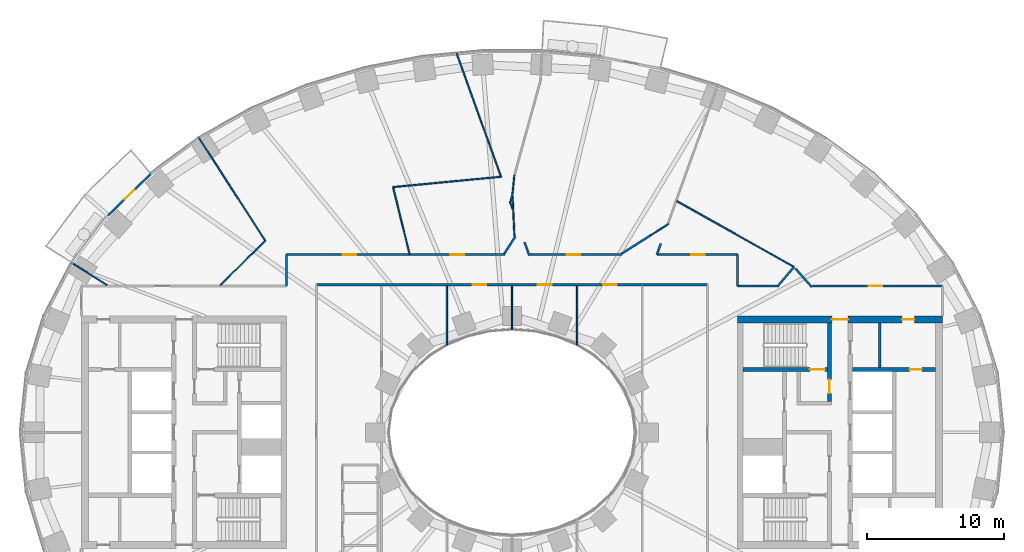
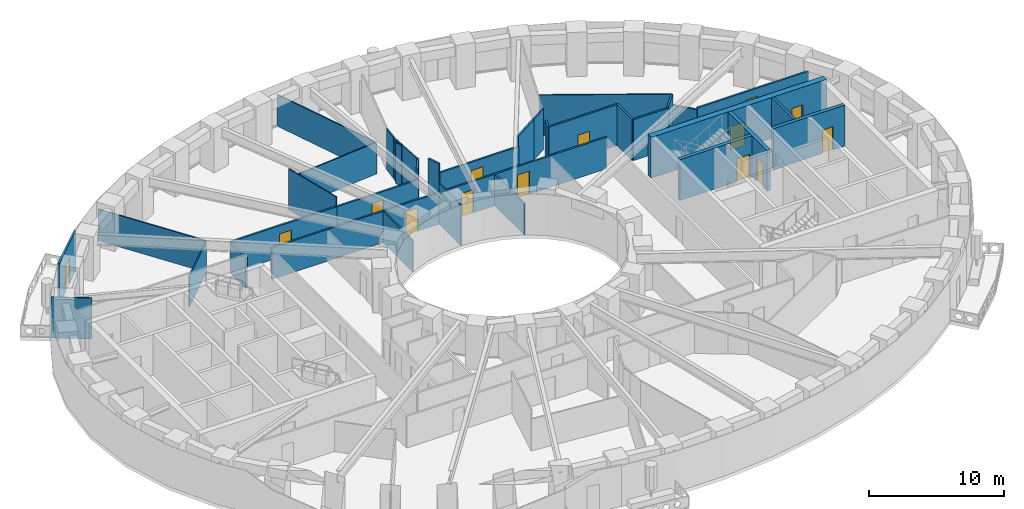
# One storey, part 6 of 16: 36 walls, 14 doors, 14 openings.
"""IFC4 building model written with IfcOpenShell, lengths in metres."""

from ifc_helpers import new_model, si_unit, direction, frame, frame_2d, origin, place, context, subcontext, project, spatial, rectangle, extrude, material, layer, layer_set, type_object, element, fill, save


model = new_model("IFC4")

# Units and contexts
model_context = context("Model", 3, precision=1e-05, world=origin(), true_north=direction((0.0, 1.0)))
body_context = subcontext(model_context, "Body", "Model", "MODEL_VIEW")
ifc_project = project(units=[si_unit("LENGTHUNIT", "METRE"), si_unit("AREAUNIT", "SQUARE_METRE"), si_unit("VOLUMEUNIT", "CUBIC_METRE"), si_unit("PLANEANGLEUNIT", "RADIAN"), si_unit("MASSUNIT", "GRAM", prefix="KILO")], contexts=[model_context])

# Site, building, storey
site_placement = place(None, origin())
site = spatial("IfcSite", under=ifc_project, at=site_placement, CompositionType="ELEMENT")
building_placement = place(site_placement, origin())
building = spatial("IfcBuilding", under=site, at=building_placement, Name="Noorbagh Ring Tower", CompositionType="ELEMENT")
storey_placement = place(building_placement, frame((0.0, 0.0, 46.5)))
storey = spatial("IfcBuildingStorey", under=building, at=storey_placement, Name="L09", CompositionType="ELEMENT", Elevation=46.5)

# Wall
ifc_material_1 = material(Name="Gypsum board on steel studs", Category="steel")
ifc_layer_1 = layer(ifc_material_1, 0.199951171875)
ifc_layer_set_1 = layer_set([ifc_layer_1], Name="Gypsum board on steel studs")
wall_type_1 = type_object("IfcWallType", Name="CORE-PARTITION-200", PredefinedType="PARTITIONING", material=ifc_layer_set_1)
wall_1_placement = place(storey_placement, frame((26.89990234375, 4.75, 0.0), z_axis=(0.0, 0.0, 1.0), x_axis=(0.0, 1.0, 0.0)))
element("IfcWall", 1, at=wall_1_placement, inside=storey, type_object=wall_type_1, Name="Core partition E", PredefinedType="PARTITIONING", context=body_context, shape_type="SweptSolid", body=[
    extrude(rectangle(XDim=3.25, YDim=0.199951171875, at=frame_2d((1.625, 0.0))), origin(), (0.0, 0.0, 1.0), 3.699951171875),
])

# Wall, opening, door
ifc_material_2 = material(Name="Concrete C70/85", Category="concrete")
ifc_layer_2 = layer(ifc_material_2, 0.300048828125)
ifc_layer_set_2 = layer_set([ifc_layer_2], Name="Concrete C70/85")
wall_type_2 = type_object("IfcWallType", Name="CORE-WALL-300-C70-85-EI240", PredefinedType="SHEAR", material=ifc_layer_set_2)
wall_2_placement = place(storey_placement, frame((24.89990234375, 4.60009765625, 0.0), z_axis=(0.0, 0.0, 1.0), x_axis=(1.0, 0.0, 0.0)))
wall_2 = element("IfcWall", 2, at=wall_2_placement, inside=storey, type_object=wall_type_2, Name="Core wall E", PredefinedType="SHEAR", context=body_context, shape_type="SweptSolid", body=[
    extrude(rectangle(XDim=6.10009765625, YDim=0.300048828125, at=frame_2d((3.050048828125, 0.0))), origin(), (0.0, 0.0, 1.0), 3.699951171875),
])
opening_1_placement = place(wall_2_placement, frame((4.199951171875, 0.0, 0.0)))
opening_1 = element("IfcOpeningElement", 3, at=opening_1_placement, cuts=wall_2, Name="Opening L09-CE16", PredefinedType="OPENING", context=body_context, shape_type="SweptSolid", body=[
    extrude(rectangle(XDim=0.89990234375, YDim=2.10009765625, at=frame_2d((0.449951171875, 1.050048828125))), frame((0.0, 0.16015625, 0.0), z_axis=(0.0, -1.0, 0.0), x_axis=(1.0, 0.0, 0.0)), (0.0, 0.0, 1.0), 0.320068359375),
])
ifc_material_3 = material(Name="Steel door leaf", Category="steel")
door_type_1 = type_object("IfcDoorType", Name="CORE-DOOR-DROOM", OperationType="SINGLE_SWING_LEFT", PredefinedType="DOOR", material=ifc_material_3)
door_1_placement = place(opening_1_placement, origin())
door_1 = element("IfcDoor", 4, at=door_1_placement, inside=storey, type_object=door_type_1, Name="Core room door L09-CE16", OperationType="SINGLE_SWING_RIGHT", OverallHeight=2.10009765625, OverallWidth=0.89990234375, PredefinedType="DOOR", context=body_context, shape_type="SweptSolid", body=[
    extrude(rectangle(XDim=0.89990234375, YDim=2.10009765625, at=frame_2d((0.449951171875, 1.050048828125))), frame((0.0, 0.02490234375, 0.0), z_axis=(0.0, -1.0, 0.0), x_axis=(1.0, 0.0, 0.0)), (0.0, 0.0, 1.0), 0.050048828125),
])
fill(opening_1, door_1)

wall_3_placement = place(storey_placement, frame((23.22998046875, 2.25, 0.0), z_axis=(0.0, 0.0, 1.0), x_axis=(0.0, 1.0, 0.0)))
wall_3 = element("IfcWall", 5, at=wall_3_placement, inside=storey, type_object=wall_type_2, Name="Core wall E", PredefinedType="SHEAR", context=body_context, shape_type="SweptSolid", body=[
    extrude(rectangle(XDim=5.75, YDim=0.300048828125, at=frame_2d((2.875, 0.0))), origin(), (0.0, 0.0, 1.0), 3.699951171875),
])
opening_2_placement = place(wall_3_placement, frame((0.60009765625, 0.0, 0.0)))
opening_2 = element("IfcOpeningElement", 6, at=opening_2_placement, cuts=wall_3, Name="Opening L09-CE08", PredefinedType="OPENING", context=body_context, shape_type="SweptSolid", body=[
    extrude(rectangle(XDim=1.0, YDim=2.10009765625, at=frame_2d((0.5, 1.050048828125))), frame((0.0, 0.16015625, 0.0), z_axis=(0.0, -1.0, 0.0), x_axis=(1.0, 0.0, 0.0)), (0.0, 0.0, 1.0), 0.320068359375),
])
ifc_material_4 = material(Name="Steel door leaf", Category="steel")
door_type_2 = type_object("IfcDoorType", Name="CORE-DOOR-DVEST", OperationType="SINGLE_SWING_LEFT", PredefinedType="DOOR", material=ifc_material_4)
door_2_placement = place(opening_2_placement, origin())
door_2 = element("IfcDoor", 7, at=door_2_placement, inside=storey, type_object=door_type_2, Name="Stair vestibule door L09-CE08", OperationType="SINGLE_SWING_RIGHT", OverallHeight=2.10009765625, OverallWidth=1.0, PredefinedType="DOOR", context=body_context, shape_type="SweptSolid", body=[
    extrude(rectangle(XDim=1.0, YDim=2.10009765625, at=frame_2d((0.5, 1.050048828125))), frame((0.0, 0.02490234375, 0.0), z_axis=(0.0, -1.0, 0.0), x_axis=(1.0, 0.0, 0.0)), (0.0, 0.0, 1.0), 0.050048828125),
])
fill(opening_2, door_2)

wall_4_placement = place(storey_placement, frame((16.89990234375, 4.60009765625, 0.0), z_axis=(0.0, 0.0, 1.0), x_axis=(1.0, 0.0, 0.0)))
wall_4 = element("IfcWall", 8, at=wall_4_placement, inside=storey, type_object=wall_type_2, Name="Core wall E", PredefinedType="SHEAR", context=body_context, shape_type="SweptSolid", body=[
    extrude(rectangle(XDim=6.18017578125, YDim=0.300048828125, at=frame_2d((3.090087890625, 0.0))), origin(), (0.0, 0.0, 1.0), 3.699951171875),
])
opening_3_placement = place(wall_4_placement, frame((4.89990234375, 0.0, 0.0)))
opening_3 = element("IfcOpeningElement", 9, at=opening_3_placement, cuts=wall_4, Name="Opening L09-CE05", PredefinedType="OPENING", context=body_context, shape_type="SweptSolid", body=[
    extrude(rectangle(XDim=1.10009765625, YDim=2.10009765625, at=frame_2d((0.550048828125, 1.050048828125))), frame((0.0, 0.16015625, 0.0), z_axis=(0.0, -1.0, 0.0), x_axis=(1.0, 0.0, 0.0)), (0.0, 0.0, 1.0), 0.320068359375),
])
ifc_material_5 = material(Name="Steel door leaf", Category="steel")
door_type_3 = type_object("IfcDoorType", Name="CORE-DOOR-DSTAIR", OperationType="SINGLE_SWING_LEFT", PredefinedType="DOOR", material=ifc_material_5)
door_3_placement = place(opening_3_placement, origin())
door_3 = element("IfcDoor", 10, at=door_3_placement, inside=storey, type_object=door_type_3, Name="Stair door ST3 L09-CE05", OperationType="SINGLE_SWING_LEFT", OverallHeight=2.10009765625, OverallWidth=1.10009765625, PredefinedType="DOOR", context=body_context, shape_type="SweptSolid", body=[
    extrude(rectangle(XDim=1.10009765625, YDim=2.10009765625, at=frame_2d((0.550048828125, 1.050048828125))), frame((0.0, 0.02490234375, 0.0), z_axis=(0.0, -1.0, 0.0), x_axis=(1.0, 0.0, 0.0)), (0.0, 0.0, 1.0), 0.050048828125),
])
fill(opening_3, door_3)

# Wall, openings, doors
ifc_material_6 = material(Name="Concrete C70/85", Category="concrete")
ifc_layer_3 = layer(ifc_material_6, 0.5)
ifc_layer_set_3 = layer_set([ifc_layer_3], Name="Concrete C70/85")
wall_type_3 = type_object("IfcWallType", Name="CORE-WALL-500-C70-85-EI240", PredefinedType="SHEAR", material=ifc_layer_set_3)
wall_5_placement = place(storey_placement, frame((16.5, 8.25, 0.0), z_axis=(0.0, 0.0, 1.0), x_axis=(1.0, 0.0, 0.0)))
wall_5 = element("IfcWall", 11, at=wall_5_placement, inside=storey, type_object=wall_type_3, Name="Core wall E", PredefinedType="SHEAR", context=body_context, shape_type="SweptSolid", body=[
    extrude(rectangle(XDim=15.0, YDim=0.5, at=frame_2d((7.5, 0.0))), origin(), (0.0, 0.0, 1.0), 3.699951171875),
])
opening_4_placement = place(wall_5_placement, frame((6.89990234375, 0.0, 0.0)))
opening_4 = element("IfcOpeningElement", 12, at=opening_4_placement, cuts=wall_5, Name="Opening L09-CE09", PredefinedType="OPENING", context=body_context, shape_type="SweptSolid", body=[
    extrude(rectangle(XDim=1.199951171875, YDim=2.10009765625, at=frame_2d((0.60009765625, 1.050048828125))), frame((0.0, 0.260009765625, 0.0), z_axis=(0.0, -1.0, 0.0), x_axis=(1.0, 0.0, 0.0)), (0.0, 0.0, 1.0), 0.52001953125),
])
opening_5_placement = place(wall_5_placement, frame((12.050048828125, 0.0, 0.0)))
opening_5 = element("IfcOpeningElement", 13, at=opening_5_placement, cuts=wall_5, Name="Opening L09-CE13", PredefinedType="OPENING", context=body_context, shape_type="SweptSolid", body=[
    extrude(rectangle(XDim=0.89990234375, YDim=2.10009765625, at=frame_2d((0.449951171875, 1.050048828125))), frame((0.0, 0.260009765625, 0.0), z_axis=(0.0, -1.0, 0.0), x_axis=(1.0, 0.0, 0.0)), (0.0, 0.0, 1.0), 0.52001953125),
])
door_4_placement = place(opening_5_placement, origin())
door_4 = element("IfcDoor", 14, at=door_4_placement, inside=storey, type_object=door_type_1, Name="Core room door L09-CE13", OperationType="SINGLE_SWING_LEFT", OverallHeight=2.10009765625, OverallWidth=0.89990234375, PredefinedType="DOOR", context=body_context, shape_type="SweptSolid", body=[
    extrude(rectangle(XDim=0.89990234375, YDim=2.10009765625, at=frame_2d((0.449951171875, 1.050048828125))), frame((0.0, 0.02490234375, 0.0), z_axis=(0.0, -1.0, 0.0), x_axis=(1.0, 0.0, 0.0)), (0.0, 0.0, 1.0), 0.050048828125),
])
fill(opening_5, door_4)
ifc_material_7 = material(Name="Steel door leaf", Category="steel")
door_type_4 = type_object("IfcDoorType", Name="CORE-DOOR-PORT", OperationType="DOUBLE_DOOR_DOUBLE_SWING", PredefinedType="DOOR", material=ifc_material_7)
door_5_placement = place(opening_4_placement, origin())
door_5 = element("IfcDoor", 15, at=door_5_placement, inside=storey, type_object=door_type_4, Name="Core entrance door L09-CE09", OperationType="DOUBLE_DOOR_DOUBLE_SWING", OverallHeight=2.10009765625, OverallWidth=1.199951171875, PredefinedType="DOOR", context=body_context, shape_type="SweptSolid", body=[
    extrude(rectangle(XDim=1.199951171875, YDim=2.10009765625, at=frame_2d((0.60009765625, 1.050048828125))), frame((0.0, 0.02490234375, 0.0), z_axis=(0.0, -1.0, 0.0), x_axis=(1.0, 0.0, 0.0)), (0.0, 0.0, 1.0), 0.050048828125),
])
fill(opening_4, door_5)

# Wall
ifc_material_8 = material(Name="Gypsum board on steel studs", Category="steel")
ifc_layer_4 = layer(ifc_material_8, 0.14990234375)
ifc_layer_set_4 = layer_set([ifc_layer_4], Name="Gypsum board on steel studs")
wall_type_4 = type_object("IfcWallType", Name="CORRIDOR PARTITION 150 EI 30", PredefinedType="PARTITIONING", material=ifc_layer_set_4)
wall_6_placement = place(storey_placement, frame((-16.5, 10.699951171875, 0.0), z_axis=(0.0, 0.0, 1.0), x_axis=(0.0, 1.0, 0.0)))
element("IfcWall", 16, at=wall_6_placement, inside=storey, type_object=wall_type_4, Name="L09/wall/P14", PredefinedType="PARTITIONING", context=body_context, shape_type="SweptSolid", body=[
    extrude(rectangle(XDim=2.300048828125, YDim=0.14990234375, at=frame_2d((1.14990234375, 0.0))), origin(), (0.0, 0.0, 1.0), 2.75),
])

# Wall, opening, door
wall_7_placement = place(storey_placement, frame((-16.5, 13.0, 0.0), z_axis=(0.0, 0.0, 1.0), x_axis=(1.0, 0.0, 0.0)))
wall_7 = element("IfcWall", 17, at=wall_7_placement, inside=storey, type_object=wall_type_4, Name="L09/wall/P15", PredefinedType="PARTITIONING", context=body_context, shape_type="SweptSolid", body=[
    extrude(rectangle(XDim=9.0009765625, YDim=0.14990234375, at=frame_2d((4.50048828125, 0.0))), origin(), (0.0, 0.0, 1.0), 2.85009765625),
])
opening_6_placement = place(wall_7_placement, frame((4.116943359375, 0.0, 0.0)))
opening_6 = element("IfcOpeningElement", 18, at=opening_6_placement, cuts=wall_7, Name="Opening D1", PredefinedType="OPENING", context=body_context, shape_type="SweptSolid", body=[
    extrude(rectangle(XDim=1.0, YDim=2.10009765625, at=frame_2d((0.5, 1.050048828125))), frame((0.0, 0.0849609375, 0.0), z_axis=(0.0, -1.0, 0.0), x_axis=(1.0, 0.0, 0.0)), (0.0, 0.0, 1.0), 0.169921875),
])
ifc_material_9 = material(Name="Timber, painted", Category="wood")
door_type_5 = type_object("IfcDoorType", Name="DOOR 1000 X 2100 FD30", OperationType="SINGLE_SWING_LEFT", PredefinedType="DOOR", material=ifc_material_9)
door_6_placement = place(opening_6_placement, origin())
door_6 = element("IfcDoor", 19, at=door_6_placement, inside=storey, type_object=door_type_5, Name="L09-D11", OperationType="SINGLE_SWING_LEFT", OverallHeight=2.10009765625, OverallWidth=1.0, PredefinedType="DOOR", context=body_context, shape_type="SweptSolid", body=[
    extrude(rectangle(XDim=1.0, YDim=2.10009765625, at=frame_2d((0.5, 1.050048828125))), frame((0.0, 0.02490234375, 0.0), z_axis=(0.0, -1.0, 0.0), x_axis=(1.0, 0.0, 0.0)), (0.0, 0.0, 1.0), 0.050048828125),
])
fill(opening_6, door_6)

# Wall, openings, doors
wall_8_placement = place(storey_placement, frame((-14.300048828125, 10.800048828125, 0.0), z_axis=(0.0, 0.0, 1.0), x_axis=(1.0, 0.0, 0.0)))
wall_8 = element("IfcWall", 20, at=wall_8_placement, inside=storey, type_object=wall_type_4, Name="L09/wall/P18", PredefinedType="PARTITIONING", context=body_context, shape_type="SweptSolid", body=[
    extrude(rectangle(XDim=28.60009765625, YDim=0.14990234375, at=frame_2d((14.300048828125, 0.0))), origin(), (0.0, 0.0, 1.0), 2.85009765625),
])
opening_7_placement = place(wall_8_placement, frame((11.43310546875, 0.0, 0.0)))
opening_7 = element("IfcOpeningElement", 21, at=opening_7_placement, cuts=wall_8, Name="Opening D1", PredefinedType="OPENING", context=body_context, shape_type="SweptSolid", body=[
    extrude(rectangle(XDim=1.0, YDim=2.10009765625, at=frame_2d((0.5, 1.050048828125))), frame((0.0, 0.0849609375, 0.0), z_axis=(0.0, -1.0, 0.0), x_axis=(1.0, 0.0, 0.0)), (0.0, 0.0, 1.0), 0.169921875),
])
opening_8_placement = place(wall_8_placement, frame((16.199951171875, 0.0, 0.0)))
opening_8 = element("IfcOpeningElement", 22, at=opening_8_placement, cuts=wall_8, Name="Opening D1", PredefinedType="OPENING", context=body_context, shape_type="SweptSolid", body=[
    extrude(rectangle(XDim=1.0, YDim=2.10009765625, at=frame_2d((0.5, 1.050048828125))), frame((0.0, 0.0849609375, 0.0), z_axis=(0.0, -1.0, 0.0), x_axis=(1.0, 0.0, 0.0)), (0.0, 0.0, 1.0), 0.169921875),
])
opening_9_placement = place(wall_8_placement, frame((20.967041015625, 0.0, 0.0)))
opening_9 = element("IfcOpeningElement", 23, at=opening_9_placement, cuts=wall_8, Name="Opening D1", PredefinedType="OPENING", context=body_context, shape_type="SweptSolid", body=[
    extrude(rectangle(XDim=1.0, YDim=2.10009765625, at=frame_2d((0.5, 1.050048828125))), frame((0.0, 0.0849609375, 0.0), z_axis=(0.0, -1.0, 0.0), x_axis=(1.0, 0.0, 0.0)), (0.0, 0.0, 1.0), 0.169921875),
])
door_7_placement = place(opening_7_placement, origin())
door_7 = element("IfcDoor", 24, at=door_7_placement, inside=storey, type_object=door_type_5, Name="L09-D22", OperationType="SINGLE_SWING_RIGHT", OverallHeight=2.10009765625, OverallWidth=1.0, PredefinedType="DOOR", context=body_context, shape_type="SweptSolid", body=[
    extrude(rectangle(XDim=1.0, YDim=2.10009765625, at=frame_2d((0.5, 1.050048828125))), frame((0.0, 0.02490234375, 0.0), z_axis=(0.0, -1.0, 0.0), x_axis=(1.0, 0.0, 0.0)), (0.0, 0.0, 1.0), 0.050048828125),
])
fill(opening_7, door_7)
door_8_placement = place(opening_8_placement, origin())
door_8 = element("IfcDoor", 25, at=door_8_placement, inside=storey, type_object=door_type_5, Name="L09-D24", OperationType="SINGLE_SWING_RIGHT", OverallHeight=2.10009765625, OverallWidth=1.0, PredefinedType="DOOR", context=body_context, shape_type="SweptSolid", body=[
    extrude(rectangle(XDim=1.0, YDim=2.10009765625, at=frame_2d((0.5, 1.050048828125))), frame((0.0, 0.02490234375, 0.0), z_axis=(0.0, -1.0, 0.0), x_axis=(1.0, 0.0, 0.0)), (0.0, 0.0, 1.0), 0.050048828125),
])
fill(opening_8, door_8)
door_9_placement = place(opening_9_placement, origin())
door_9 = element("IfcDoor", 26, at=door_9_placement, inside=storey, type_object=door_type_5, Name="L09-D25", OperationType="SINGLE_SWING_LEFT", OverallHeight=2.10009765625, OverallWidth=1.0, PredefinedType="DOOR", context=body_context, shape_type="SweptSolid", body=[
    extrude(rectangle(XDim=1.0, YDim=2.10009765625, at=frame_2d((0.5, 1.050048828125))), frame((0.0, 0.02490234375, 0.0), z_axis=(0.0, -1.0, 0.0), x_axis=(1.0, 0.0, 0.0)), (0.0, 0.0, 1.0), 0.050048828125),
])
fill(opening_9, door_9)

# Wall, opening, door
wall_9_placement = place(storey_placement, frame((-7.48291015625, 13.0, 0.0), z_axis=(0.0, 0.0, 1.0), x_axis=(1.0, 0.0, 0.0)))
wall_9 = element("IfcWall", 27, at=wall_9_placement, inside=storey, type_object=wall_type_4, Name="L09/wall/P33", PredefinedType="PARTITIONING", context=body_context, shape_type="SweptSolid", body=[
    extrude(rectangle(XDim=6.9599609375, YDim=0.14990234375, at=frame_2d((3.47998046875, 0.0))), origin(), (0.0, 0.0, 1.0), 2.85009765625),
])
opening_10_placement = place(wall_9_placement, frame((2.970947265625, 0.0, 0.0)))
opening_10 = element("IfcOpeningElement", 28, at=opening_10_placement, cuts=wall_9, Name="Opening D1", PredefinedType="OPENING", context=body_context, shape_type="SweptSolid", body=[
    extrude(rectangle(XDim=1.0, YDim=2.10009765625, at=frame_2d((0.5, 1.050048828125))), frame((0.0, 0.0849609375, 0.0), z_axis=(0.0, -1.0, 0.0), x_axis=(1.0, 0.0, 0.0)), (0.0, 0.0, 1.0), 0.169921875),
])
door_10_placement = place(opening_10_placement, origin())
door_10 = element("IfcDoor", 29, at=door_10_placement, inside=storey, type_object=door_type_5, Name="L09-D13", OperationType="SINGLE_SWING_LEFT", OverallHeight=2.10009765625, OverallWidth=1.0, PredefinedType="DOOR", context=body_context, shape_type="SweptSolid", body=[
    extrude(rectangle(XDim=1.0, YDim=2.10009765625, at=frame_2d((0.5, 1.050048828125))), frame((0.0, 0.02490234375, 0.0), z_axis=(0.0, -1.0, 0.0), x_axis=(1.0, 0.0, 0.0)), (0.0, 0.0, 1.0), 0.050048828125),
])
fill(opening_10, door_10)

# Walls
wall_10_placement = place(storey_placement, frame((-0.56396484375, 13.074951171875, 0.0), z_axis=(0.0, 0.0, 1.0), x_axis=(0.542961200627, 0.839757783301, 0.0)))
element("IfcWall", 30, at=wall_10_placement, inside=storey, type_object=wall_type_4, Name="L09/wall/P39", PredefinedType="PARTITIONING", context=body_context, shape_type="SweptSolid", body=[
    extrude(rectangle(XDim=1.4658203125, YDim=0.14990234375, at=frame_2d((0.73291015625, 0.0))), origin(), (0.0, 0.0, 1.0), 3.699951171875),
])
wall_11_placement = place(storey_placement, frame((0.9189453125, 13.908935546875, 0.0), z_axis=(0.0, 0.0, 1.0), x_axis=(0.338918653524, -0.94081568136, 0.0)))
element("IfcWall", 31, at=wall_11_placement, inside=storey, type_object=wall_type_4, Name="L09/wall/P53", PredefinedType="PARTITIONING", context=body_context, shape_type="SweptSolid", body=[
    extrude(rectangle(XDim=1.041748046875, YDim=0.14990234375, at=frame_2d((0.52099609375, 0.0))), origin(), (0.0, 0.0, 1.0), 3.699951171875),
])

# Wall, opening, door
wall_12_placement = place(storey_placement, frame((1.325927734375, 13.0, 0.0), z_axis=(0.0, 0.0, 1.0), x_axis=(1.0, 0.0, 0.0)))
wall_12 = element("IfcWall", 32, at=wall_12_placement, inside=storey, type_object=wall_type_4, Name="L09/wall/P55", PredefinedType="PARTITIONING", context=body_context, shape_type="SweptSolid", body=[
    extrude(rectangle(XDim=6.72119140625, YDim=0.14990234375, at=frame_2d((3.360595703125, 0.0))), origin(), (0.0, 0.0, 1.0), 2.85009765625),
])
opening_11_placement = place(wall_12_placement, frame((2.680908203125, 0.0, 0.0)))
opening_11 = element("IfcOpeningElement", 33, at=opening_11_placement, cuts=wall_12, Name="Opening D1", PredefinedType="OPENING", context=body_context, shape_type="SweptSolid", body=[
    extrude(rectangle(XDim=1.0, YDim=2.10009765625, at=frame_2d((0.5, 1.050048828125))), frame((0.0, 0.0849609375, 0.0), z_axis=(0.0, -1.0, 0.0), x_axis=(1.0, 0.0, 0.0)), (0.0, 0.0, 1.0), 0.169921875),
])
door_11_placement = place(opening_11_placement, origin())
door_11 = element("IfcDoor", 34, at=door_11_placement, inside=storey, type_object=door_type_5, Name="L09-D15", OperationType="SINGLE_SWING_LEFT", OverallHeight=2.10009765625, OverallWidth=1.0, PredefinedType="DOOR", context=body_context, shape_type="SweptSolid", body=[
    extrude(rectangle(XDim=1.0, YDim=2.10009765625, at=frame_2d((0.5, 1.050048828125))), frame((0.0, 0.02490234375, 0.0), z_axis=(0.0, -1.0, 0.0), x_axis=(1.0, 0.0, 0.0)), (0.0, 0.0, 1.0), 0.050048828125),
])
fill(opening_11, door_11)

# Walls
wall_13_placement = place(storey_placement, frame((8.028076171875, 13.076904296875, 0.0), z_axis=(0.0, 0.0, 1.0), x_axis=(0.844718865656, 0.53521027457, 0.0)))
element("IfcWall", 35, at=wall_13_placement, inside=storey, type_object=wall_type_4, Name="L09/wall/P61", PredefinedType="PARTITIONING", context=body_context, shape_type="SweptSolid", body=[
    extrude(rectangle(XDim=2.49658203125, YDim=0.14990234375, at=frame_2d((1.248291015625, 0.0))), origin(), (0.0, 0.0, 1.0), 3.699951171875),
])
wall_14_placement = place(storey_placement, frame((10.594970703125, 13.0, 0.0), z_axis=(0.0, 0.0, 1.0), x_axis=(0.338659506624, 0.940908995904, 0.0)))
element("IfcWall", 36, at=wall_14_placement, inside=storey, type_object=wall_type_4, Name="L09/wall/P66", PredefinedType="PARTITIONING", context=body_context, shape_type="SweptSolid", body=[
    extrude(rectangle(XDim=0.864990234375, YDim=0.14990234375, at=frame_2d((0.4326171875, 0.0))), origin(), (0.0, 0.0, 1.0), 3.699951171875),
])

# Wall, opening, door
wall_15_placement = place(storey_placement, frame((10.60693359375, 13.0, 0.0), z_axis=(0.0, 0.0, 1.0), x_axis=(1.0, 0.0, 0.0)))
wall_15 = element("IfcWall", 37, at=wall_15_placement, inside=storey, type_object=wall_type_4, Name="L09/wall/P68", PredefinedType="PARTITIONING", context=body_context, shape_type="SweptSolid", body=[
    extrude(rectangle(XDim=5.89306640625, YDim=0.14990234375, at=frame_2d((2.946533203125, 0.0))), origin(), (0.0, 0.0, 1.0), 3.699951171875),
])
opening_12_placement = place(wall_15_placement, frame((2.492919921875, 0.0, 0.0)))
opening_12 = element("IfcOpeningElement", 38, at=opening_12_placement, cuts=wall_15, Name="Opening D1", PredefinedType="OPENING", context=body_context, shape_type="SweptSolid", body=[
    extrude(rectangle(XDim=1.0, YDim=2.10009765625, at=frame_2d((0.5, 1.050048828125))), frame((0.0, 0.0849609375, 0.0), z_axis=(0.0, -1.0, 0.0), x_axis=(1.0, 0.0, 0.0)), (0.0, 0.0, 1.0), 0.169921875),
])
door_12_placement = place(opening_12_placement, origin())
door_12 = element("IfcDoor", 39, at=door_12_placement, inside=storey, type_object=door_type_5, Name="L09-D17", OperationType="SINGLE_SWING_LEFT", OverallHeight=2.10009765625, OverallWidth=1.0, PredefinedType="DOOR", context=body_context, shape_type="SweptSolid", body=[
    extrude(rectangle(XDim=1.0, YDim=2.10009765625, at=frame_2d((0.5, 1.050048828125))), frame((0.0, 0.02490234375, 0.0), z_axis=(0.0, -1.0, 0.0), x_axis=(1.0, 0.0, 0.0)), (0.0, 0.0, 1.0), 0.050048828125),
])
fill(opening_12, door_12)

# Walls
wall_16_placement = place(storey_placement, frame((16.5, 10.699951171875, 0.0), z_axis=(0.0, 0.0, 1.0), x_axis=(0.0, 1.0, 0.0)))
element("IfcWall", 40, at=wall_16_placement, inside=storey, type_object=wall_type_4, Name="L09/wall/P76", PredefinedType="PARTITIONING", context=body_context, shape_type="SweptSolid", body=[
    extrude(rectangle(XDim=2.300048828125, YDim=0.14990234375, at=frame_2d((1.14990234375, 0.0))), origin(), (0.0, 0.0, 1.0), 3.699951171875),
])
wall_17_placement = place(storey_placement, frame((16.5, 10.699951171875, 0.0), z_axis=(0.0, 0.0, 1.0), x_axis=(1.0, 0.0, 0.0)))
element("IfcWall", 41, at=wall_17_placement, inside=storey, type_object=wall_type_4, Name="L09/wall/P77", PredefinedType="PARTITIONING", context=body_context, shape_type="SweptSolid", body=[
    extrude(rectangle(XDim=3.04296875, YDim=0.14990234375, at=frame_2d((1.521484375, 0.0))), origin(), (0.0, 0.0, 1.0), 3.699951171875),
])
wall_18_placement = place(storey_placement, frame((19.510986328125, 10.778076171875, 0.0), z_axis=(0.0, 0.0, 1.0), x_axis=(0.646491141339, 0.762921492796, 0.0)))
element("IfcWall", 42, at=wall_18_placement, inside=storey, type_object=wall_type_4, Name="L09/wall/P79", PredefinedType="PARTITIONING", context=body_context, shape_type="SweptSolid", body=[
    extrude(rectangle(XDim=1.734130859375, YDim=0.14990234375, at=frame_2d((0.8671875, 0.0))), origin(), (0.0, 0.0, 1.0), 3.699951171875),
])
wall_19_placement = place(storey_placement, frame((20.72705078125, 11.993896484375, 0.0), z_axis=(0.0, 0.0, 1.0), x_axis=(0.663767495264, -0.747938976275, 0.0)))
element("IfcWall", 43, at=wall_19_placement, inside=storey, type_object=wall_type_4, Name="L09/wall/P81", PredefinedType="PARTITIONING", context=body_context, shape_type="SweptSolid", body=[
    extrude(rectangle(XDim=1.830322265625, YDim=0.14990234375, at=frame_2d((0.9150390625, 0.0))), origin(), (0.0, 0.0, 1.0), 2.75),
])

# Wall, opening, door
wall_20_placement = place(storey_placement, frame((21.97509765625, 10.699951171875, 0.0), z_axis=(0.0, 0.0, 1.0), x_axis=(1.0, 0.0, 0.0)))
wall_20 = element("IfcWall", 44, at=wall_20_placement, inside=storey, type_object=wall_type_4, Name="L09/wall/P83", PredefinedType="PARTITIONING", context=body_context, shape_type="SweptSolid", body=[
    extrude(rectangle(XDim=9.52490234375, YDim=0.14990234375, at=frame_2d((4.762451171875, 0.0))), origin(), (0.0, 0.0, 1.0), 2.85009765625),
])
opening_13_placement = place(wall_20_placement, frame((4.125, 0.0, 0.0)))
opening_13 = element("IfcOpeningElement", 45, at=opening_13_placement, cuts=wall_20, Name="Opening D1", PredefinedType="OPENING", context=body_context, shape_type="SweptSolid", body=[
    extrude(rectangle(XDim=1.0, YDim=2.10009765625, at=frame_2d((0.5, 1.050048828125))), frame((0.0, 0.0849609375, 0.0), z_axis=(0.0, -1.0, 0.0), x_axis=(1.0, 0.0, 0.0)), (0.0, 0.0, 1.0), 0.169921875),
])
door_13_placement = place(opening_13_placement, origin())
door_13 = element("IfcDoor", 46, at=door_13_placement, inside=storey, type_object=door_type_5, Name="L09-D19", OperationType="SINGLE_SWING_LEFT", OverallHeight=2.10009765625, OverallWidth=1.0, PredefinedType="DOOR", context=body_context, shape_type="SweptSolid", body=[
    extrude(rectangle(XDim=1.0, YDim=2.10009765625, at=frame_2d((0.5, 1.050048828125))), frame((0.0, 0.02490234375, 0.0), z_axis=(0.0, -1.0, 0.0), x_axis=(1.0, 0.0, 0.0)), (0.0, 0.0, 1.0), 0.050048828125),
])
fill(opening_13, door_13)

ifc_material_10 = material(Name="Insulated aluminium clad panel", Category="aluminium")
ifc_layer_5 = layer(ifc_material_10, 0.14990234375)
ifc_layer_set_5 = layer_set([ifc_layer_5], Name="Insulated aluminium clad panel")
wall_type_5 = type_object("IfcWallType", Name="ENV-WALL-DOOR", PredefinedType="STANDARD", material=ifc_layer_set_5)
wall_21_placement = place(storey_placement, frame((-26.396484375, 18.943359375, 0.0), z_axis=(0.0, 0.0, 1.0), x_axis=(-0.717214761864, -0.696852197647, 0.0)))
wall_21 = element("IfcWall", 47, at=wall_21_placement, inside=storey, type_object=wall_type_5, Name="Balcony door wall chord 19", PredefinedType="STANDARD", context=body_context, shape_type="SweptSolid", body=[
    extrude(rectangle(XDim=4.424072265625, YDim=0.14990234375, at=frame_2d((2.2119140625, 0.0))), origin(), (0.0, 0.0, 1.0), 3.699951171875),
])
opening_14_placement = place(wall_21_placement, frame((1.712158203125, 0.0, 0.0)))
opening_14 = element("IfcOpeningElement", 48, at=opening_14_placement, cuts=wall_21, Name="Opening D-BL", PredefinedType="OPENING", context=body_context, shape_type="SweptSolid", body=[
    extrude(rectangle(XDim=1.0, YDim=2.39990234375, at=frame_2d((0.5, 1.199951171875))), frame((0.0, 0.0849609375, 0.0), z_axis=(0.0, -1.0, 0.0), x_axis=(1.0, 0.0, 0.0)), (0.0, 0.0, 1.0), 0.169921875),
])
ifc_material_11 = material(Name="Aluminium and glass", Category="aluminium")
door_type_6 = type_object("IfcDoorType", Name="ENV-DOOR-BALCONY", OperationType="SINGLE_SWING_LEFT", PredefinedType="DOOR", material=ifc_material_11)
door_14_placement = place(opening_14_placement, origin())
door_14 = element("IfcDoor", 49, at=door_14_placement, inside=storey, type_object=door_type_6, Name="Balcony door chord 19", OperationType="SINGLE_SWING_RIGHT", OverallHeight=2.39990234375, OverallWidth=1.0, PredefinedType="DOOR", context=body_context, shape_type="SweptSolid", body=[
    extrude(rectangle(XDim=1.0, YDim=2.39990234375, at=frame_2d((0.5, 1.199951171875))), frame((0.0, 0.02490234375, 0.0), z_axis=(0.0, -1.0, 0.0), x_axis=(1.0, 0.0, 0.0)), (0.0, 0.0, 1.0), 0.050048828125),
])
fill(opening_14, door_14)

# Walls
ifc_material_12 = material(Name="Gypsum board on steel studs", Category="steel")
ifc_layer_6 = layer(ifc_material_12, 0.10009765625)
ifc_layer_set_6 = layer_set([ifc_layer_6], Name="Gypsum board on steel studs")
wall_type_6 = type_object("IfcWallType", Name="PARTITION 100 GYPSUM", PredefinedType="PARTITIONING", material=ifc_layer_set_6)
wall_22_placement = place(storey_placement, frame((-32.2119140625, 12.407958984375, 0.0), z_axis=(0.0, 0.0, 1.0), x_axis=(0.844810627195, -0.535065420467, 0.0)))
element("IfcWall", 50, at=wall_22_placement, inside=storey, type_object=wall_type_6, Name="L09/wall/P03", PredefinedType="PARTITIONING", context=body_context, shape_type="SweptSolid", body=[
    extrude(rectangle(XDim=3.0478515625, YDim=0.10009765625, at=frame_2d((1.52392578125, 0.0))), origin(), (0.0, 0.0, 1.0), 3.699951171875),
])
wall_23_placement = place(storey_placement, frame((-22.905029296875, 21.5419921875, 0.0), z_axis=(0.0, 0.0, 1.0), x_axis=(0.542241597628, -0.840222619192, 0.0)))
element("IfcWall", 51, at=wall_23_placement, inside=storey, type_object=wall_type_6, Name="L09/wall/P09", PredefinedType="PARTITIONING", context=body_context, shape_type="SweptSolid", body=[
    extrude(rectangle(XDim=8.966552734375, YDim=0.10009765625, at=frame_2d((4.4833984375, 0.0))), origin(), (0.0, 0.0, 1.0), 2.85009765625),
])
wall_24_placement = place(storey_placement, frame((-21.362060546875, 10.778076171875, 0.0), z_axis=(0.0, 0.0, 1.0), x_axis=(0.716869759063, 0.697207105917, 0.0)))
element("IfcWall", 52, at=wall_24_placement, inside=storey, type_object=wall_type_6, Name="L09/wall/P11", PredefinedType="PARTITIONING", context=body_context, shape_type="SweptSolid", body=[
    extrude(rectangle(XDim=4.63134765625, YDim=0.10009765625, at=frame_2d((2.315673828125, 0.0))), origin(), (0.0, 0.0, 1.0), 2.75),
])
wall_25_placement = place(storey_placement, frame((-8.7041015625, 17.945068359375, 0.0), z_axis=(0.0, 0.0, 1.0), x_axis=(0.995439666097, 0.095393244838, 0.0)))
element("IfcWall", 53, at=wall_25_placement, inside=storey, type_object=wall_type_6, Name="L09/wall/P30", PredefinedType="PARTITIONING", context=body_context, shape_type="SweptSolid", body=[
    extrude(rectangle(XDim=7.987548828125, YDim=0.10009765625, at=frame_2d((3.99365234375, 0.0))), origin(), (0.0, 0.0, 1.0), 2.85009765625),
])
wall_26_placement = place(storey_placement, frame((-8.7041015625, 17.946044921875, 0.0), z_axis=(0.0, 0.0, 1.0), x_axis=(0.239704393154, -0.970845921814, 0.0)))
element("IfcWall", 54, at=wall_26_placement, inside=storey, type_object=wall_type_6, Name="L09/wall/P31", PredefinedType="PARTITIONING", context=body_context, shape_type="SweptSolid", body=[
    extrude(rectangle(XDim=5.094482421875, YDim=0.10009765625, at=frame_2d((2.54736328125, 0.0))), origin(), (0.0, 0.0, 1.0), 3.699951171875),
])
wall_27_placement = place(storey_placement, frame((-4.76708984375, 6.363037109375, 0.0), z_axis=(0.0, 0.0, 1.0), x_axis=(0.0, 1.0, 0.0)))
element("IfcWall", 55, at=wall_27_placement, inside=storey, type_object=wall_type_6, Name="L09/wall/P35", PredefinedType="PARTITIONING", context=body_context, shape_type="SweptSolid", body=[
    extrude(rectangle(XDim=4.362060546875, YDim=0.10009765625, at=frame_2d((2.18115234375, 0.0))), origin(), (0.0, 0.0, 1.0), 2.85009765625),
])
wall_28_placement = place(storey_placement, frame((-4.0458984375, 27.717041015625, 0.0), z_axis=(0.0, 0.0, 1.0), x_axis=(0.338447260677, -0.940985362129, 0.0)))
element("IfcWall", 56, at=wall_28_placement, inside=storey, type_object=wall_type_6, Name="L09/wall/P37", PredefinedType="PARTITIONING", context=body_context, shape_type="SweptSolid", body=[
    extrude(rectangle(XDim=9.5283203125, YDim=0.10009765625, at=frame_2d((4.76416015625, 0.0))), origin(), (0.0, 0.0, 1.0), 2.85009765625),
])
wall_29_placement = place(storey_placement, frame((-0.152099609375, 16.887939453125, 0.0), z_axis=(0.0, 0.0, 1.0), x_axis=(0.339185428329, -0.940719535892, 0.0)))
element("IfcWall", 57, at=wall_29_placement, inside=storey, type_object=wall_type_6, Name="L09/wall/P42", PredefinedType="PARTITIONING", context=body_context, shape_type="SweptSolid", body=[
    extrude(rectangle(XDim=0.5751953125, YDim=0.10009765625, at=frame_2d((0.28759765625, 0.0))), origin(), (0.0, 0.0, 1.0), 3.699951171875),
])
wall_30_placement = place(storey_placement, frame((-0.09912109375, 16.89208984375, 0.0), z_axis=(0.0, 0.0, 1.0), x_axis=(0.239223165208, 0.970964611728, 0.0)))
element("IfcWall", 58, at=wall_30_placement, inside=storey, type_object=wall_type_6, Name="L09/wall/P43", PredefinedType="PARTITIONING", context=body_context, shape_type="SweptSolid", body=[
    extrude(rectangle(XDim=0.694091796875, YDim=0.10009765625, at=frame_2d((0.34716796875, 0.0))), origin(), (0.0, 0.0, 1.0), 3.699951171875),
])
wall_31_placement = place(storey_placement, frame((0.0, 7.50390625, 0.0), z_axis=(0.0, 0.0, 1.0), x_axis=(0.0, 1.0, 0.0)))
element("IfcWall", 59, at=wall_31_placement, inside=storey, type_object=wall_type_6, Name="L09/wall/P45", PredefinedType="PARTITIONING", context=body_context, shape_type="SweptSolid", body=[
    extrude(rectangle(XDim=3.22119140625, YDim=0.10009765625, at=frame_2d((1.610595703125, 0.0))), origin(), (0.0, 0.0, 1.0), 3.699951171875),
])
wall_32_placement = place(storey_placement, frame((0.0400390625, 17.283935546875, 0.0), z_axis=(0.0, 0.0, 1.0), x_axis=(0.047505648741, -0.998870969314, 0.0)))
element("IfcWall", 60, at=wall_32_placement, inside=storey, type_object=wall_type_6, Name="L09/wall/P47", PredefinedType="PARTITIONING", context=body_context, shape_type="SweptSolid", body=[
    extrude(rectangle(XDim=2.92431640625, YDim=0.10009765625, at=frame_2d((1.462158203125, 0.0))), origin(), (0.0, 0.0, 1.0), 3.699951171875),
])
wall_33_placement = place(storey_placement, frame((0.0380859375, 17.47412109375, 0.0), z_axis=(0.0, 0.0, 1.0), x_axis=(0.100886401076, 0.99489795159, 0.0)))
element("IfcWall", 61, at=wall_33_placement, inside=storey, type_object=wall_type_6, Name="L09/wall/P49", PredefinedType="PARTITIONING", context=body_context, shape_type="SweptSolid", body=[
    extrude(rectangle(XDim=1.32861328125, YDim=0.10009765625, at=frame_2d((0.664306640625, 0.0))), origin(), (0.0, 0.0, 1.0), 3.699951171875),
])
wall_34_placement = place(storey_placement, frame((4.76708984375, 6.363037109375, 0.0), z_axis=(0.0, 0.0, 1.0), x_axis=(0.0, 1.0, 0.0)))
element("IfcWall", 62, at=wall_34_placement, inside=storey, type_object=wall_type_6, Name="L09/wall/P59", PredefinedType="PARTITIONING", context=body_context, shape_type="SweptSolid", body=[
    extrude(rectangle(XDim=4.362060546875, YDim=0.10009765625, at=frame_2d((2.18115234375, 0.0))), origin(), (0.0, 0.0, 1.0), 2.85009765625),
])
wall_35_placement = place(storey_placement, frame((10.136962890625, 14.4130859375, 0.0), z_axis=(0.0, 0.0, 1.0), x_axis=(0.844849680057, 0.535003755228, 0.0)))
element("IfcWall", 63, at=wall_35_placement, inside=storey, type_object=wall_type_6, Name="L09/wall/P64", PredefinedType="PARTITIONING", context=body_context, shape_type="SweptSolid", body=[
    extrude(rectangle(XDim=1.5625, YDim=0.10009765625, at=frame_2d((0.78125, 0.0))), origin(), (0.0, 0.0, 1.0), 3.699951171875),
])
wall_36_placement = place(storey_placement, frame((12.06005859375, 16.924072265625, 0.0), z_axis=(0.0, 0.0, 1.0), x_axis=(0.871847863021, -0.489776789718, 0.0)))
element("IfcWall", 64, at=wall_36_placement, inside=storey, type_object=wall_type_6, Name="L09/wall/P72", PredefinedType="PARTITIONING", context=body_context, shape_type="SweptSolid", body=[
    extrude(rectangle(XDim=9.83544921875, YDim=0.10009765625, at=frame_2d((4.917724609375, 0.0))), origin(), (0.0, 0.0, 1.0), 3.699951171875),
])

save(model, "model.ifc")
